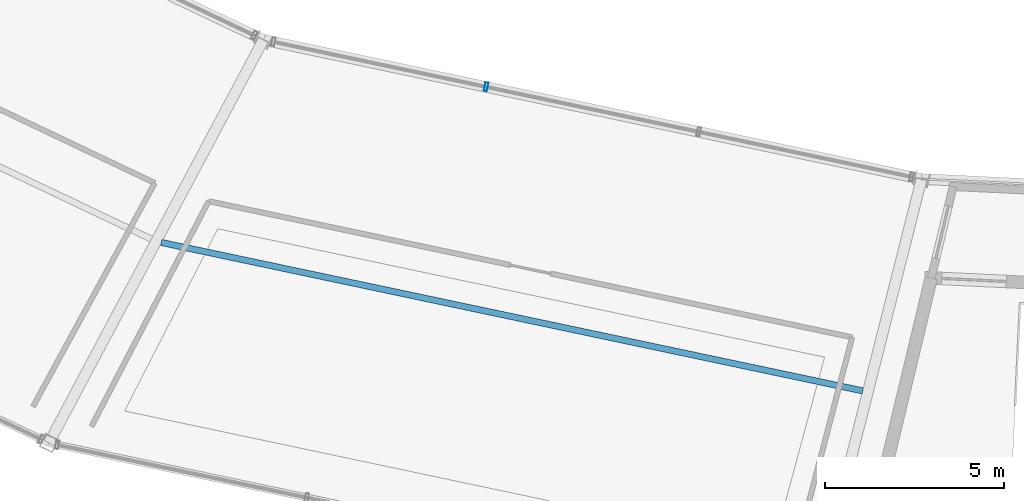
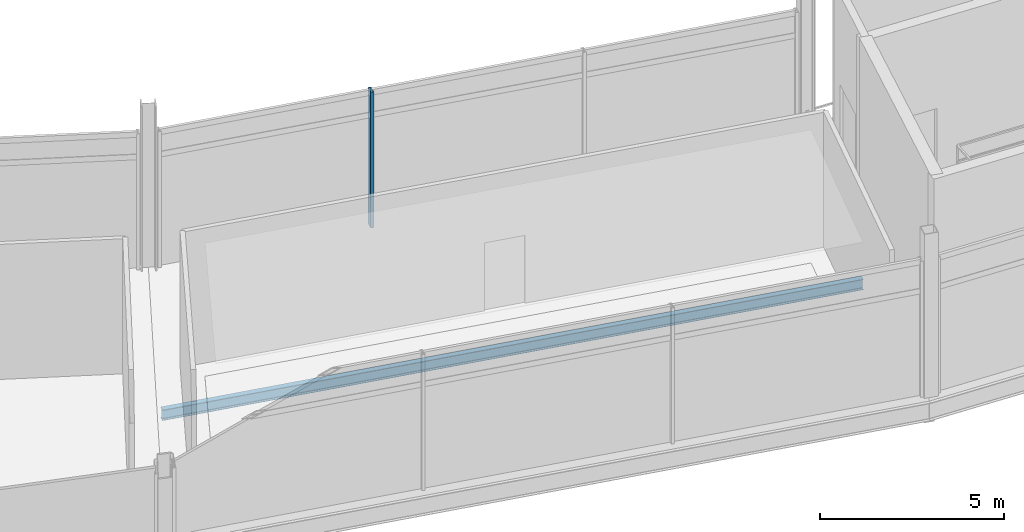
# One storey, part 29 of 86: 1 beam, 1 member, 1 element without a shape of its own.
"""IFC4 building model written with IfcOpenShell, lengths in metres."""

from ifc_helpers import new_model, si_unit, direction, frame, origin, origin_2d, place, context, subcontext, project, spatial, hollow_rectangle, i_section, extrude, material, layer, layer_set, material_profile, profile_set, type_object, element, aggregate, save


model = new_model("IFC4")

# Units and contexts
model_context = context("Model", 3, precision=1e-05, world=origin(), true_north=direction((0.0, 1.0)))
body_context = subcontext(model_context, "Body", "Model", "MODEL_VIEW")
ifc_project = project(units=[si_unit("LENGTHUNIT", "METRE"), si_unit("AREAUNIT", "SQUARE_METRE"), si_unit("VOLUMEUNIT", "CUBIC_METRE"), si_unit("PLANEANGLEUNIT", "RADIAN"), si_unit("MASSUNIT", "GRAM", prefix="KILO")], contexts=[model_context])

# Site, building, storey
site_placement = place(None, origin())
site = spatial("IfcSite", under=ifc_project, at=site_placement, CompositionType="ELEMENT")
building_placement = place(site_placement, origin())
building = spatial("IfcBuilding", under=site, at=building_placement, Name="Kazemori Nagisa Stadium", CompositionType="ELEMENT")
storey_placement = place(building_placement, frame((0.0, 0.0, 31.280029296875)))
storey = spatial("IfcBuildingStorey", under=building, at=storey_placement, Name="L06", CompositionType="ELEMENT", Elevation=31.280029296875)

# Beam
ifc_material_1 = material(Name="Steel SN490B", Category="steel")
ifc_material_profile_1 = material_profile(ifc_material_1, i_section(OverallWidth=0.175048828125, OverallDepth=0.35009765625, WebThickness=0.007080078125, FlangeThickness=0.010986328125, FilletRadius=0.012939453125, at=origin_2d()), Name="H-350x175x7x11")
ifc_profile_set_1 = profile_set([ifc_material_profile_1], Name="Steel SN490B")
beam_type = type_object("IfcBeamType", Name="Beam_BJ-H350", PredefinedType="JOIST", material=ifc_profile_set_1)
beam_placement = place(storey_placement, frame((83.33349609375, 27.13818359375, -0.43505859375), z_axis=(0.978344719644, -0.20698214789, 0.0), x_axis=(0.20698214789, 0.978344719644, 0.0)))
element("IfcBeam", 1, at=beam_placement, inside=storey, type_object=beam_type, Name="Outer bay joist BJ-H350 L06 B20", PredefinedType="JOIST", context=body_context, shape_type="SweptSolid", body=[
    extrude(i_section(OverallWidth=0.175048828125, OverallDepth=0.35009765625, WebThickness=0.007080078125, FlangeThickness=0.010986328125, FilletRadius=0.012939453125, at=origin_2d()), origin(), (0.0, 0.0, 1.0), 20.03076171875),
])

# Curtain wall, member
ifc_material_2 = material(Name="Anodised aluminium 6063-T5", Category="aluminium")
ifc_layer = layer(ifc_material_2, 0.239990234375, Name="Anodised aluminium 6063-T5", Category="aluminium")
ifc_layer_set = layer_set([ifc_layer], Name="Anodised aluminium 6063-T5")
curtain_wall_type = type_object("IfcCurtainWallType", Name="CW_L06G_91", PredefinedType="USERDEFINED", material=ifc_layer_set)
curtain_wall_placement = place(storey_placement, origin())
curtain_wall = element("IfcCurtainWall", 2, at=curtain_wall_placement, inside=storey, type_object=curtain_wall_type, Name="Unitised curtain wall CW-L06G-91 L06", ObjectType="UNITISED CURTAIN WALL", PredefinedType="USERDEFINED")
ifc_material_3 = material(Name="Aluminium 6063-T5 anodised", Category="aluminium")
ifc_material_profile_2 = material_profile(ifc_material_3, hollow_rectangle(XDim=0.090087890625, YDim=0.239990234375, WallThickness=0.0048828125, at=origin_2d()), Name="ALU-MULL-90x240x5")
ifc_profile_set_2 = profile_set([ifc_material_profile_2], Name="Aluminium 6063-T5 anodised")
member_type = type_object("IfcMemberType", Name="Mullion_M03", PredefinedType="MULLION", material=ifc_profile_set_2)
member_placement = place(storey_placement, frame((92.408935546875, 31.484619140625, 0.0), z_axis=(0.0, 0.0, 1.0), x_axis=(0.978344955407, -0.206981033502, 0.0)))
member = element("IfcMember", 3, at=member_placement, type_object=member_type, Name="Curtain wall mullion CW-L06G-91-M2", PredefinedType="MULLION", context=body_context, shape_type="SweptSolid", body=[
    extrude(hollow_rectangle(XDim=0.090087890625, YDim=0.239990234375, WallThickness=0.0048828125, at=origin_2d()), origin(), (0.0, 0.0, 1.0), 4.510009765625),
])
aggregate(curtain_wall, [member])

save(model, "model.ifc")
